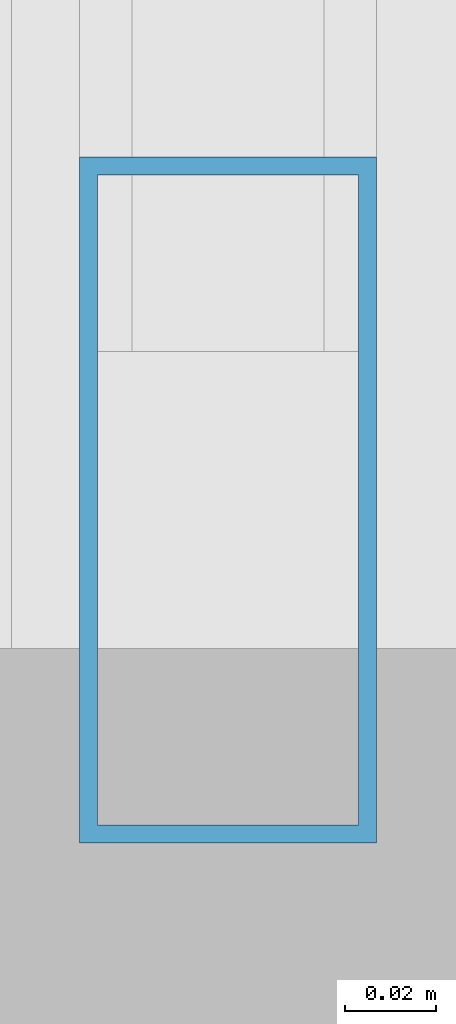
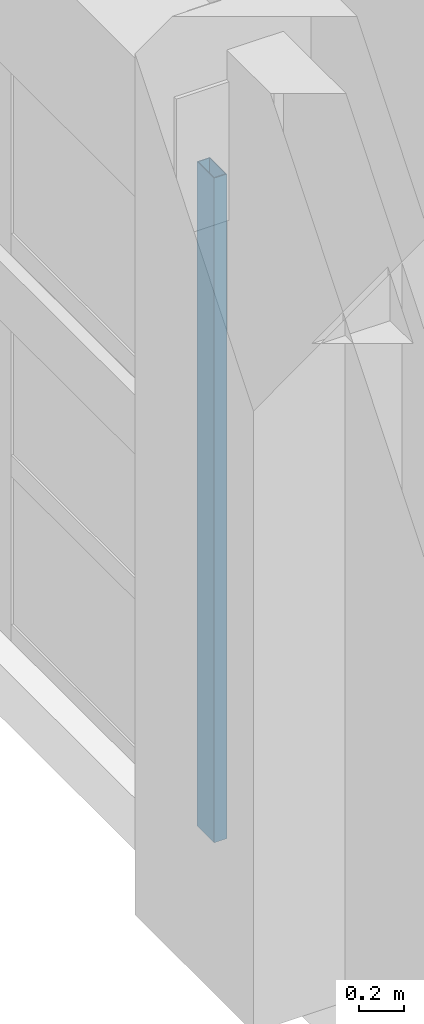
# One storey, part 40 of 123: 1 member, 1 element without a shape of its own.
"""IFC4 building model written with IfcOpenShell, lengths in metres."""

from ifc_helpers import new_model, si_unit, direction, frame, origin, origin_2d, place, context, subcontext, project, spatial, hollow_rectangle, extrude, material, layer, layer_set, material_profile, profile_set, type_object, element, aggregate, save


model = new_model("IFC4")

# Units and contexts
model_context = context("Model", 3, precision=1e-05, world=origin(), true_north=direction((0.0, 1.0)))
body_context = subcontext(model_context, "Body", "Model", "MODEL_VIEW")
ifc_project = project(units=[si_unit("LENGTHUNIT", "METRE"), si_unit("AREAUNIT", "SQUARE_METRE"), si_unit("VOLUMEUNIT", "CUBIC_METRE"), si_unit("PLANEANGLEUNIT", "RADIAN"), si_unit("MASSUNIT", "GRAM", prefix="KILO")], contexts=[model_context])

# Site, building, storey
site_placement = place(None, origin())
site = spatial("IfcSite", under=ifc_project, at=site_placement, CompositionType="ELEMENT")
building_placement = place(site_placement, origin())
building = spatial("IfcBuilding", under=site, at=building_placement, Name="Quendrovan Civic Courthouse", CompositionType="ELEMENT")
storey_placement = place(building_placement, frame((0.0, 0.0, 5.39990234375)))
storey = spatial("IfcBuildingStorey", under=building, at=storey_placement, Name="L02", CompositionType="ELEMENT", Elevation=5.39990234375)

# Curtain wall, member
ifc_material_1 = material(Name="Bronze anodised aluminium and low-E glass", Category="aluminium")
ifc_layer = layer(ifc_material_1, 0.179931640625, Name="Bronze anodised aluminium and low-E glass")
ifc_layer_set = layer_set([ifc_layer], Name="Bronze anodised aluminium and low-E glass")
curtain_wall_type = type_object("IfcCurtainWallType", Name="CW-U55x36", PredefinedType="USERDEFINED", material=ifc_layer_set)
curtain_wall_placement = place(storey_placement, origin())
curtain_wall = element("IfcCurtainWall", 1, at=curtain_wall_placement, inside=storey, type_object=curtain_wall_type, Name="L02 Unitised Hurricane Curtain Wall CW-079", ObjectType="UNITISED CURTAIN WALL", PredefinedType="USERDEFINED")
ifc_material_2 = material(Name="Bronze anodised aluminium", Category="aluminium")
ifc_material_profile = material_profile(ifc_material_2, hollow_rectangle(XDim=0.06494140625, YDim=0.14990234375, WallThickness=0.00390625, at=origin_2d()), Name="CW-MULL-65x150")
ifc_profile_set = profile_set([ifc_material_profile], Name="Bronze anodised aluminium")
member_type = type_object("IfcMemberType", Name="CW-MULL-B", PredefinedType="MULLION", material=ifc_profile_set)
member_placement = place(storey_placement, frame((33.764892578125, 95.70751953125, 0.0), z_axis=(0.0, 0.0, 1.0), x_axis=(-1.0, 0.0, 0.0)))
member = element("IfcMember", 2, at=member_placement, type_object=member_type, Name="CW-079 mullion 1", PredefinedType="MULLION", context=body_context, shape_type="SweptSolid", body=[
    extrude(hollow_rectangle(XDim=0.06494140625, YDim=0.14990234375, WallThickness=0.00390625, at=origin_2d()), origin(), (0.0, 0.0, 1.0), 3.60009765625),
])
aggregate(curtain_wall, [member])

save(model, "model.ifc")
